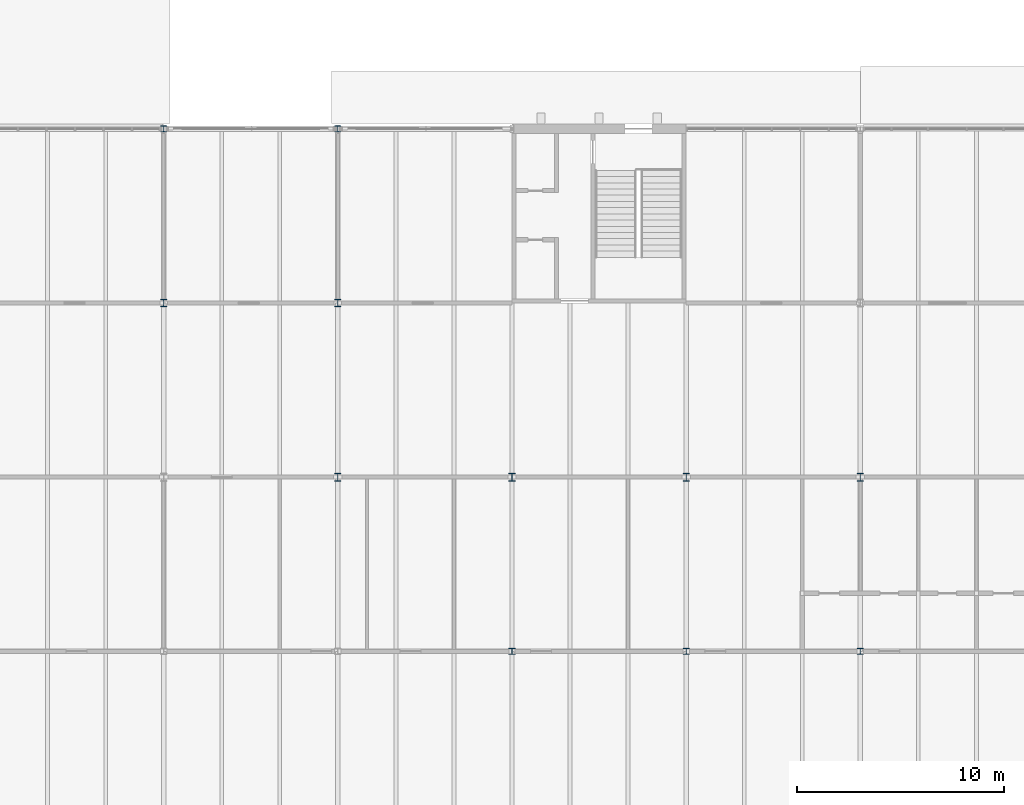
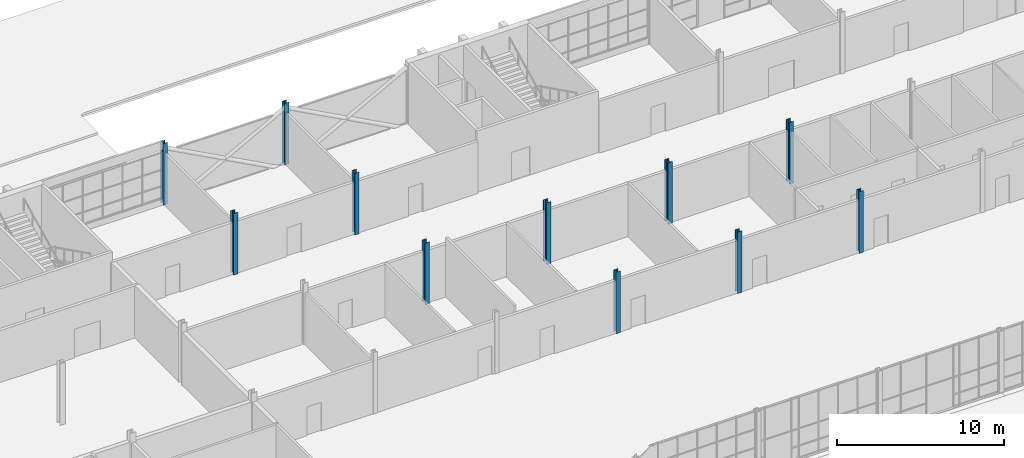
# One storey, part 14 of 116: 11 columns.
"""IFC4 building model written with IfcOpenShell, lengths in metres."""

import ifcopenshell
import ifcopenshell.guid

model = None  # the IFC model being written
_history = None  # IfcOwnerHistory: only IFC2X3 demands one
_inside = {}  # id of a spatial element -> (the spatial element, [elements in it])
_under = {}  # id of a project, library or spatial element -> (it, [spatial elements below it])
_declared = {}  # id of a project -> (the project, [libraries it declares])
_typed = {}  # id of a type object -> (the type object, [elements of that type])
_made_of = {}  # id of a material, layer set ... -> (it, [elements and type objects made of it])


def new_model(schema):
    """Start an empty IFC model of exactly this schema.

    Asked for "IFC4X3", IfcOpenShell would pick the latest addendum, in which some entities
    have other attributes; the version numbers below select the first issue.
    IFC2X3 requires an IfcOwnerHistory on every rooted entity: one is made here for all.
    """
    global model, _history
    if schema == "IFC4X3":
        model = ifcopenshell.file(schema_version=(4, 3, 0, 0))
    else:
        model = ifcopenshell.file(schema=schema)
    _inside.clear()
    _under.clear()
    _declared.clear()
    _typed.clear()
    _made_of.clear()
    _history = None
    if model.schema == "IFC2X3":
        org = make("IfcOrganization", Name="unknown")
        user = make(
            "IfcPersonAndOrganization",
            ThePerson=make("IfcPerson", FamilyName="unknown"),
            TheOrganization=org,
        )
        app = make(
            "IfcApplication",
            ApplicationDeveloper=org,
            Version="unknown",
            ApplicationFullName="unknown",
            ApplicationIdentifier="unknown",
        )
        _history = make(
            "IfcOwnerHistory",
            OwningUser=user,
            OwningApplication=app,
            ChangeAction="ADDED",
            CreationDate=0,
        )
    return model


def make(cls, **values):
    """One entity of the class cls with the attributes given. An attribute that is None is left unset."""
    return model.create_entity(
        cls, **{name: value for name, value in values.items() if value is not None}
    )


def rooted(cls, **values):
    """An entity with a GlobalId (a new one), such as an element, a storey or a relation."""
    return make(cls, GlobalId=ifcopenshell.guid.new(), OwnerHistory=_history, **values)


def si_unit(unit_type, name, prefix=None):
    """IfcSIUnit, for example si_unit("LENGTHUNIT", "METRE", prefix="MILLI")."""
    return make("IfcSIUnit", UnitType=unit_type, Prefix=prefix, Name=name)


def assignment(units):
    """IfcUnitAssignment: the units of a project."""
    return None if units is None else make("IfcUnitAssignment", Units=units)


def point(xyz):
    """IfcCartesianPoint."""
    return None if xyz is None else make("IfcCartesianPoint", Coordinates=xyz)


def direction(xyz):
    """IfcDirection."""
    return None if xyz is None else make("IfcDirection", DirectionRatios=xyz)


def frame(location, z_axis=None, x_axis=None):
    """IfcAxis2Placement3D, a coordinate frame: its origin and axes. An axis left out is left unset."""
    return make(
        "IfcAxis2Placement3D",
        Location=point(location),
        Axis=direction(z_axis),
        RefDirection=direction(x_axis),
    )


def frame_2d(location, x_axis=None):
    """IfcAxis2Placement2D, a coordinate frame in the plane: its origin and x axis."""
    return make(
        "IfcAxis2Placement2D", Location=point(location), RefDirection=direction(x_axis)
    )


def origin():
    """The frame at (0, 0, 0) with its axes left unset."""
    return frame((0.0, 0.0, 0.0))


def origin_2d():
    """The frame at (0, 0) in the plane with its x axis left unset."""
    return frame_2d((0.0, 0.0))


def place(relative_to, where):
    """IfcLocalPlacement: puts the frame where relative to a parent placement (None: the world)."""
    return make(
        "IfcLocalPlacement", PlacementRelTo=relative_to, RelativePlacement=where
    )


def context(
    kind, dimensions, precision=None, world=None, true_north=None, identifier=None
):
    """IfcGeometricRepresentationContext, for example the 3D "Model" context."""
    return make(
        "IfcGeometricRepresentationContext",
        ContextIdentifier=identifier,
        ContextType=kind,
        CoordinateSpaceDimension=dimensions,
        Precision=precision,
        WorldCoordinateSystem=world,
        TrueNorth=true_north,
    )


def subcontext(parent, identifier, kind, view, scale=None):
    """IfcGeometricRepresentationSubContext, for example "Body" below "Model"."""
    return make(
        "IfcGeometricRepresentationSubContext",
        ContextIdentifier=identifier,
        ContextType=kind,
        ParentContext=parent,
        TargetScale=scale,
        TargetView=view,
    )


def project(units=None, contexts=None):
    """IfcProject with its units and contexts."""
    return rooted(
        "IfcProject",
        Name="project",
        RepresentationContexts=contexts,
        UnitsInContext=assignment(units),
    )


def spatial(cls, under=None, at=None, **own):
    """A site, building, storey or space (cls), placed at a placement, below another one or the project."""
    s = rooted(cls, ObjectPlacement=at, **own)
    if under is not None:
        _under.setdefault(under.id(), (under, []))[1].append(s)
    return s


def profile(cls, at=None, kind="AREA", **sizes):
    """A parametric profile (cls). Its sizes go by their IFC names, for example OverallWidth=200.0."""
    return make(cls, ProfileType=kind, Position=at, **sizes)


def i_section(**sizes):
    """IfcIShapeProfileDef."""
    return profile("IfcIShapeProfileDef", **sizes)


def extrude(swept, where, along, depth):
    """IfcExtrudedAreaSolid: the profile swept, set in the frame where, extruded along a direction by depth."""
    return make(
        "IfcExtrudedAreaSolid",
        SweptArea=swept,
        Position=where,
        ExtrudedDirection=direction(along),
        Depth=depth,
    )


def shape(context_of_items, identifier, shape_type, items):
    """IfcShapeRepresentation: the items that make up one representation, for example the "Body"."""
    return make(
        "IfcShapeRepresentation",
        ContextOfItems=context_of_items,
        RepresentationIdentifier=identifier,
        RepresentationType=shape_type,
        Items=items,
    )


def material(Name=None, Category=None):
    """IfcMaterial."""
    return make("IfcMaterial", Name=Name, Category=Category)


def material_profile(
    of_material, cross_section, Name=None, Category=None, Priority=None
):
    """IfcMaterialProfile: a cross section and its material."""
    return make(
        "IfcMaterialProfile",
        Name=Name,
        Material=of_material,
        Profile=cross_section,
        Priority=Priority,
        Category=Category,
    )


def profile_set(profiles, Name=None, composite=None):
    """IfcMaterialProfileSet."""
    return make(
        "IfcMaterialProfileSet",
        Name=Name,
        MaterialProfiles=profiles,
        CompositeProfile=composite,
    )


def made_of(thing, what):
    """Note that an element or type object is made of a material, layer set ...; save() writes the relation."""
    if what is not None:
        _made_of.setdefault(what.id(), (what, []))[1].append(thing)
    return thing


def type_object(cls, material=None, **own):
    """A type object (cls), such as IfcWallType, which elements share."""
    return made_of(rooted(cls, **own), material)


def element(
    cls,
    number,
    at=None,
    inside=None,
    cuts=None,
    type_object=None,
    material=None,
    context=None,
    identifier="Body",
    shape_type=None,
    held_by="IfcProductDefinitionShape",
    body=None,
    shapes=None,
    **own,
):
    """One element of the class cls, such as IfcWall. Its Tag is "e" and its number.

    at: its placement. inside: the storey or other place that contains it. cuts: it is an
    opening in that element (IfcRelVoidsElement). A single representation is given by context,
    identifier, shape_type and body (its items); several are given by shapes. held_by: the class
    of the entity that holds the representations. save() writes the other relations.
    """
    e = rooted(cls, Tag="e%d" % number, ObjectPlacement=at, **own)
    if body is not None:
        shapes = [shape(context, identifier, shape_type, body)]
    if shapes is not None:
        e.Representation = make(held_by, Representations=shapes)
    if inside is not None:
        _inside.setdefault(inside.id(), (inside, []))[1].append(e)
    if cuts is not None:
        rooted(
            "IfcRelVoidsElement", RelatingBuildingElement=cuts, RelatedOpeningElement=e
        )
    if type_object is not None:
        _typed.setdefault(type_object.id(), (type_object, []))[1].append(e)
    return made_of(e, material)


def aggregate(whole, parts):
    """IfcRelAggregates: a whole, such as a stair, and the parts it consists of."""
    return rooted("IfcRelAggregates", RelatingObject=whole, RelatedObjects=parts)


def save(model, path):
    """Write the relations noted so far, then the file.

    IfcRelAggregates (storeys below a building ...), IfcRelContainedInSpatialStructure (elements
    in a storey), IfcRelDefinesByType, IfcRelAssociatesMaterial and IfcRelDeclares: one each for
    every whole, place, type object, material and project.
    """
    for whole, parts in _under.values():
        aggregate(whole, parts)
    for where, things in _inside.values():
        rooted(
            "IfcRelContainedInSpatialStructure",
            RelatedElements=things,
            RelatingStructure=where,
        )
    for kind, things in _typed.values():
        rooted("IfcRelDefinesByType", RelatedObjects=things, RelatingType=kind)
    for what, things in _made_of.values():
        rooted("IfcRelAssociatesMaterial", RelatedObjects=things, RelatingMaterial=what)
    for by, libraries in _declared.values():
        rooted("IfcRelDeclares", RelatingContext=by, RelatedDefinitions=libraries)
    model.write(path)


model = new_model("IFC4")

# Units and contexts
model_context = context("Model", 3, precision=1e-05, world=origin(), true_north=direction((0.0, 1.0)))
body_context = subcontext(model_context, "Body", "Model", "MODEL_VIEW")
ifc_project = project(units=[si_unit("LENGTHUNIT", "METRE"), si_unit("AREAUNIT", "SQUARE_METRE"), si_unit("VOLUMEUNIT", "CUBIC_METRE"), si_unit("PLANEANGLEUNIT", "RADIAN"), si_unit("MASSUNIT", "GRAM", prefix="KILO")], contexts=[model_context])

# Site, building, storey
site_placement = place(None, origin())
site = spatial("IfcSite", under=ifc_project, at=site_placement, CompositionType="ELEMENT")
building_placement = place(site_placement, origin())
building = spatial("IfcBuilding", under=site, at=building_placement, Name="Ardhachandra Cancer Care Centre", CompositionType="ELEMENT")
storey_placement = place(building_placement, origin())
storey = spatial("IfcBuildingStorey", under=building, at=storey_placement, Name="L00", CompositionType="ELEMENT", Elevation=0.0)

# Columns
ifc_material_1 = material(Name="Steel E350 (IS 2062)", Category="steel")
ifc_material_profile_1 = material_profile(ifc_material_1, i_section(OverallWidth=0.300048828125, OverallDepth=0.300048828125, WebThickness=0.010986328125, FlangeThickness=0.01904296875, FilletRadius=0.027099609375, at=origin_2d()), Name="WPB 300x300x117.03")
ifc_profile_set_1 = profile_set([ifc_material_profile_1], Name="Steel E350 (IS 2062)")
column_type_1 = type_object("IfcColumnType", Name="Column WPB 300x300x117.03", PredefinedType="COLUMN", material=ifc_profile_set_1)
for number, where, z_axis, x_axis, name in (
    (1, (69.60009765625, 71.39990234375, 0.0), (0.0, 0.0, 1.0), (1.0, 0.0, 0.0), "Column H8 L00"),
    (2, (78.0, 71.39990234375, 0.0), (0.0, 0.0, 1.0), (1.0, 0.0, 0.0), "Column H9 L00"),
    (3, (86.39990234375, 71.39990234375, 0.0), (0.0, 0.0, 1.0), (1.0, 0.0, 0.0), "Column H10 L00"),
    (4, (52.800048828125, 96.60009765625, 0.0), (0.0, 0.0, 1.0), (1.0, 0.0, 0.0), "Column L6 L00"),
    (5, (61.199951171875, 96.60009765625, 0.0), (0.0, 0.0, 1.0), (1.0, 0.0, 0.0), "Column L7 L00"),
):
    element("IfcColumn", number, at=place(storey_placement, frame(where, z_axis=z_axis, x_axis=x_axis)), inside=storey, type_object=column_type_1, Name=name, PredefinedType="COLUMN", context=body_context, shape_type="SweptSolid", body=[
        extrude(i_section(OverallWidth=0.300048828125, OverallDepth=0.300048828125, WebThickness=0.010986328125, FlangeThickness=0.01904296875, FilletRadius=0.027099609375, at=origin_2d()), origin(), (0.0, 0.0, 1.0), 4.5),
    ])
ifc_material_2 = material(Name="Steel E350 (IS 2062)", Category="steel")
ifc_material_profile_2 = material_profile(ifc_material_2, i_section(OverallWidth=0.300048828125, OverallDepth=0.360107421875, WebThickness=0.012451171875, FlangeThickness=0.0224609375, FilletRadius=0.027099609375, at=origin_2d()), Name="WPB 360x300x141.80")
ifc_profile_set_2 = profile_set([ifc_material_profile_2], Name="Steel E350 (IS 2062)")
column_type_2 = type_object("IfcColumnType", Name="Column WPB 360x300x141.80", PredefinedType="COLUMN", material=ifc_profile_set_2)
for number, where, z_axis, x_axis, name in (
    (6, (52.800048828125, 88.199951171875, 0.0), (0.0, 0.0, 1.0), (1.0, 0.0, 0.0), "Column K6 L00"),
    (7, (61.199951171875, 88.199951171875, 0.0), (0.0, 0.0, 1.0), (1.0, 0.0, 0.0), "Column K7 L00"),
):
    element("IfcColumn", number, at=place(storey_placement, frame(where, z_axis=z_axis, x_axis=x_axis)), inside=storey, type_object=column_type_2, Name=name, PredefinedType="COLUMN", context=body_context, shape_type="SweptSolid", body=[
        extrude(i_section(OverallWidth=0.300048828125, OverallDepth=0.360107421875, WebThickness=0.012451171875, FlangeThickness=0.0224609375, FilletRadius=0.027099609375, at=origin_2d()), origin(), (0.0, 0.0, 1.0), 4.5),
    ])
ifc_material_3 = material(Name="Steel E350 (IS 2062)", Category="steel")
ifc_material_profile_3 = material_profile(ifc_material_3, i_section(OverallWidth=0.300048828125, OverallDepth=0.39990234375, WebThickness=0.013427734375, FlangeThickness=0.02392578125, FilletRadius=0.027099609375, at=origin_2d()), Name="WPB 400x300x155.26")
ifc_profile_set_3 = profile_set([ifc_material_profile_3], Name="Steel E350 (IS 2062)")
column_type_3 = type_object("IfcColumnType", Name="Column WPB 400x300x155.26", PredefinedType="COLUMN", material=ifc_profile_set_3)
for number, where, z_axis, x_axis, name in (
    (8, (61.199951171875, 79.800048828125, 0.0), (0.0, 0.0, 1.0), (1.0, 0.0, 0.0), "Column J7 L00"),
    (9, (69.60009765625, 79.800048828125, 0.0), (0.0, 0.0, 1.0), (1.0, 0.0, 0.0), "Column J8 L00"),
    (10, (78.0, 79.800048828125, 0.0), (0.0, 0.0, 1.0), (1.0, 0.0, 0.0), "Column J9 L00"),
    (11, (86.39990234375, 79.800048828125, 0.0), (0.0, 0.0, 1.0), (1.0, 0.0, 0.0), "Column J10 L00"),
):
    element("IfcColumn", number, at=place(storey_placement, frame(where, z_axis=z_axis, x_axis=x_axis)), inside=storey, type_object=column_type_3, Name=name, PredefinedType="COLUMN", context=body_context, shape_type="SweptSolid", body=[
        extrude(i_section(OverallWidth=0.300048828125, OverallDepth=0.39990234375, WebThickness=0.013427734375, FlangeThickness=0.02392578125, FilletRadius=0.027099609375, at=origin_2d()), origin(), (0.0, 0.0, 1.0), 4.5),
    ])

save(model, "model.ifc")
